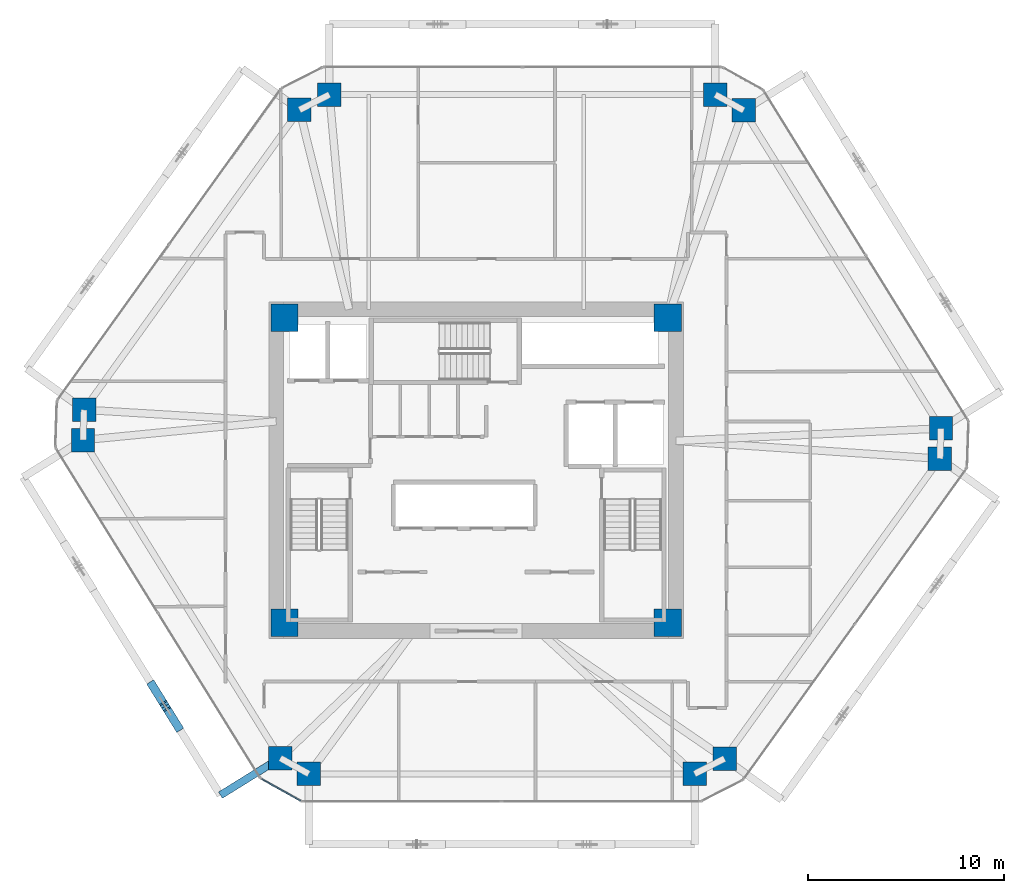
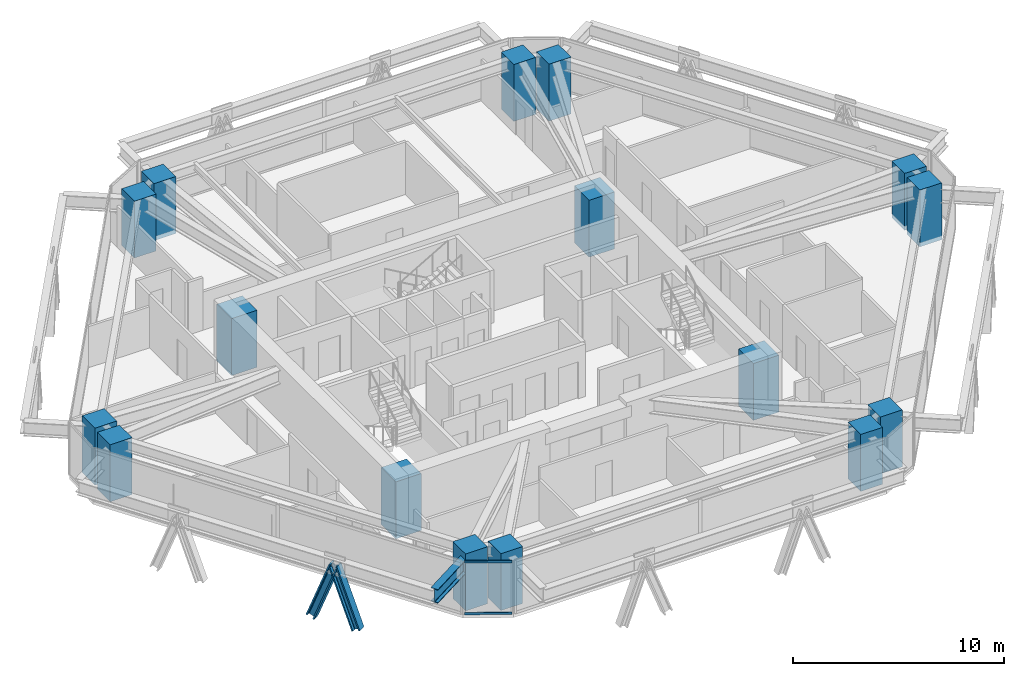
# One storey, part 1 of 16: 16 columns, 4 members, 1 beam, 1 element without a shape of its own.
"""IFC4 building model written with IfcOpenShell, lengths in metres."""

from ifc_helpers import new_model, si_unit, direction, frame, origin, origin_2d, place, context, subcontext, project, spatial, rectangle, i_section, extrude, source, transform, mapped, material, layer, layer_set, material_profile, profile_set, type_object, type_shapes, element, aggregate, save


model = new_model("IFC4")

# Units and contexts
model_context = context("Model", 3, precision=1e-05, world=origin(), true_north=direction((0.0, 1.0)))
body_context = subcontext(model_context, "Body", "Model", "MODEL_VIEW")
ifc_project = project(units=[si_unit("LENGTHUNIT", "METRE"), si_unit("AREAUNIT", "SQUARE_METRE"), si_unit("VOLUMEUNIT", "CUBIC_METRE"), si_unit("PLANEANGLEUNIT", "RADIAN"), si_unit("MASSUNIT", "GRAM", prefix="KILO")], contexts=[model_context])

# Site, building, storey
site_placement = place(None, origin())
site = spatial("IfcSite", under=ifc_project, at=site_placement, CompositionType="ELEMENT")
building_placement = place(site_placement, origin())
building = spatial("IfcBuilding", under=site, at=building_placement, Name="Durnholm Broadcast Tower", CompositionType="ELEMENT")
storey_placement = place(building_placement, frame((0.0, 0.0, 110.699951171875)))
storey = spatial("IfcBuildingStorey", under=building, at=storey_placement, Name="L29", CompositionType="ELEMENT", Elevation=110.699951171875)

# Columns
ifc_material_1 = material(Name="Concrete C70/85", Category="concrete")
ifc_material_profile_1 = material_profile(ifc_material_1, rectangle(XDim=1.39990234375, YDim=1.39990234375, at=origin_2d()), Name="RC1400X1400")
ifc_profile_set_1 = profile_set([ifc_material_profile_1], Name="Concrete C70/85")
column_type_1 = type_object("IfcColumnType", Name="COL-CC-1400", PredefinedType="COLUMN", material=ifc_profile_set_1)
shared_shape_1 = source(origin(), body_context, "Body", "SweptSolid", [
    extrude(rectangle(XDim=1.39990234375, YDim=1.39990234375, at=origin_2d()), origin(), (0.0, 0.0, 1.0), 3.300048828125),
])
type_shapes(column_type_1, [shared_shape_1])
for number, where, z_axis, x_axis, name in (
    (1, (-9.800048828125, -7.800048828125, -0.239990234375), (0.0, 0.0, 1.0), (1.0, 0.0, 0.0), "L29 core corner column 1"),
    (2, (9.800048828125, -7.800048828125, -0.239990234375), (0.0, 0.0, 1.0), (1.0, 0.0, 0.0), "L29 core corner column 2"),
    (3, (9.800048828125, 7.800048828125, -0.239990234375), (0.0, 0.0, 1.0), (1.0, 0.0, 0.0), "L29 core corner column 3"),
    (4, (-9.800048828125, 7.800048828125, -0.239990234375), (0.0, 0.0, 1.0), (1.0, 0.0, 0.0), "L29 core corner column 4"),
):
    element("IfcColumn", number, at=place(storey_placement, frame(where, z_axis=z_axis, x_axis=x_axis)), inside=storey, type_object=column_type_1, Name=name, PredefinedType="COLUMN", context=body_context, shape_type="MappedRepresentation", body=[
        mapped(shared_shape_1, transform((0.0, 0.0, 0.0), x_axis=(1.0, 0.0, 0.0), y_axis=(0.0, 1.0, 0.0), z_axis=(0.0, 0.0, 1.0), scale=1.0)),
    ])
ifc_material_profile_2 = material_profile(ifc_material_1, rectangle(XDim=1.199951171875, YDim=1.199951171875, at=origin_2d()), Name="RC1200X1200")
ifc_profile_set_2 = profile_set([ifc_material_profile_2], Name="Concrete C70/85")
column_type_2 = type_object("IfcColumnType", Name="COL-CC-1200", PredefinedType="COLUMN", material=ifc_profile_set_2)
shared_shape_2 = source(origin(), body_context, "Body", "SweptSolid", [
    extrude(rectangle(XDim=1.199951171875, YDim=1.199951171875, at=origin_2d()), origin(), (0.0, 0.0, 1.0), 3.300048828125),
])
type_shapes(column_type_2, [shared_shape_2])
for number, where, z_axis, x_axis, name in (
    (5, (-10.01416015625, -14.723388671875, -0.239990234375), (0.0, 0.0, 1.0), (1.0, 0.0, 0.0), "L29 perimeter hexagonal tube column 01"),
    (6, (-20.102783203125, 1.54150390625, -0.239990234375), (0.0, 0.0, 1.0), (1.0, 0.0, 0.0), "L29 perimeter hexagonal tube column 02"),
    (7, (-20.050048828125, 3.091064453125, -0.239990234375), (0.0, 0.0, 1.0), (1.0, 0.0, 0.0), "L29 perimeter hexagonal tube column 03"),
    (8, (-9.031982421875, 18.42822265625, -0.239990234375), (0.0, 0.0, 1.0), (1.0, 0.0, 0.0), "L29 perimeter hexagonal tube column 04"),
    (9, (-7.498046875, 19.215087890625, -0.239990234375), (0.0, 0.0, 1.0), (1.0, 0.0, 0.0), "L29 perimeter hexagonal tube column 05"),
    (10, (12.22998046875, 19.215087890625, -0.239990234375), (0.0, 0.0, 1.0), (1.0, 0.0, 0.0), "L29 perimeter hexagonal tube column 06"),
    (11, (13.692138671875, 18.4013671875, -0.239990234375), (0.0, 0.0, 1.0), (1.0, 0.0, 0.0), "L29 perimeter hexagonal tube column 07"),
    (12, (23.78076171875, 2.13671875, -0.239990234375), (0.0, 0.0, 1.0), (1.0, 0.0, 0.0), "L29 perimeter hexagonal tube column 08"),
    (13, (23.72802734375, 0.5869140625, -0.239990234375), (0.0, 0.0, 1.0), (1.0, 0.0, 0.0), "L29 perimeter hexagonal tube column 09"),
    (14, (12.7099609375, -14.750244140625, -0.239990234375), (0.0, 0.0, 1.0), (1.0, 0.0, 0.0), "L29 perimeter hexagonal tube column 10"),
    (15, (11.176025390625, -15.537109375, -0.239990234375), (0.0, 0.0, 1.0), (1.0, 0.0, 0.0), "L29 perimeter hexagonal tube column 11"),
    (16, (-8.552001953125, -15.537109375, -0.239990234375), (0.0, 0.0, 1.0), (1.0, 0.0, 0.0), "L29 perimeter hexagonal tube column 12"),
):
    element("IfcColumn", number, at=place(storey_placement, frame(where, z_axis=z_axis, x_axis=x_axis)), inside=storey, type_object=column_type_2, Name=name, PredefinedType="COLUMN", context=body_context, shape_type="MappedRepresentation", body=[
        mapped(shared_shape_2, transform((0.0, 0.0, 0.0), x_axis=(1.0, 0.0, 0.0), y_axis=(0.0, 1.0, 0.0), z_axis=(0.0, 0.0, 1.0), scale=1.0)),
    ])

# Beam
ifc_material_2 = material(Name="Steel ASTM A992 Grade 50", Category="steel")
ifc_material_profile_3 = material_profile(ifc_material_2, i_section(OverallWidth=0.385009765625, OverallDepth=0.802978515625, WebThickness=0.023681640625, FlangeThickness=0.0419921875, FilletRadius=0.032958984375, at=origin_2d()), Name="W30X261")
ifc_profile_set_3 = profile_set([ifc_material_profile_3], Name="Steel ASTM A992 Grade 50")
beam_type = type_object("IfcBeamType", Name="BM-EXO-TIE", PredefinedType="USERDEFINED", material=ifc_profile_set_3)
shared_shape_3 = source(origin(), body_context, "Body", "SweptSolid", [
    extrude(i_section(OverallWidth=0.385009765625, OverallDepth=0.802978515625, WebThickness=0.023681640625, FlangeThickness=0.0419921875, FilletRadius=0.032958984375, at=origin_2d()), origin(), (0.0, 0.0, 1.0), 3.455810546875),
])
type_shapes(beam_type, [shared_shape_3])
beam_placement = place(storey_placement, frame((-10.13671875, -14.79931640625, 2.30859375), z_axis=(-0.849807128357, -0.527093772107, 0.0), x_axis=(0.527093772107, -0.849807128357, 0.0)))
element("IfcBeam", 17, at=beam_placement, inside=storey, type_object=beam_type, Name="L29 exoskeleton stand-off tie bracket F6.2", ObjectType="GIRDER", PredefinedType="USERDEFINED", context=body_context, shape_type="MappedRepresentation", body=[
    mapped(shared_shape_3, transform((0.0, 0.0, 0.0), x_axis=(1.0, 0.0, 0.0), y_axis=(0.0, 1.0, 0.0), z_axis=(0.0, 0.0, 1.0), scale=1.0)),
])

# Members
ifc_material_3 = material(Name="Steel ASTM A913 Grade 65", Category="steel")
ifc_material_profile_4 = material_profile(ifc_material_3, i_section(OverallWidth=0.424072265625, OverallDepth=0.47412109375, WebThickness=0.047607421875, FlangeThickness=0.0771484375, FilletRadius=0.030517578125, at=origin_2d()), Name="W14X426")
ifc_profile_set_4 = profile_set([ifc_material_profile_4], Name="Steel ASTM A913 Grade 65")
member_type_1 = type_object("IfcMemberType", Name="STL-DG-W14X426", PredefinedType="BRACE", material=ifc_profile_set_4)
shared_shape_4 = source(origin(), body_context, "Body", "SweptSolid", [
    extrude(i_section(OverallWidth=0.424072265625, OverallDepth=0.47412109375, WebThickness=0.047607421875, FlangeThickness=0.0771484375, FilletRadius=0.030517578125, at=origin_2d()), origin(), (0.0, 0.0, 1.0), 3.523193359375),
])
type_shapes(member_type_1, [shared_shape_4])
for number, where, z_axis, x_axis, name in (
    (18, (-16.548583984375, -11.018310546875, -0.991455078125), (0.184606642766, -0.297560406921, 0.936684681032), (0.849750220063, 0.527185511469, 0.0), "L29 stand-off diagrid brace F6.D2.1"),
    (19, (-15.247802734375, -13.115234375, -0.991455078125), (-0.184602835855, 0.297623566065, 0.936665364961), (-0.849805205368, -0.527096872433, 0.0), "L29 stand-off diagrid brace F6.D2.2"),
):
    element("IfcMember", number, at=place(storey_placement, frame(where, z_axis=z_axis, x_axis=x_axis)), inside=storey, type_object=member_type_1, Name=name, PredefinedType="BRACE", context=body_context, shape_type="MappedRepresentation", body=[
        mapped(shared_shape_4, transform((0.0, 0.0, 0.0), x_axis=(1.0, 0.0, 0.0), y_axis=(0.0, 1.0, 0.0), z_axis=(0.0, 0.0, 1.0), scale=1.0)),
    ])

# Curtain wall, members
ifc_material_4 = material(Name="Aluminium and Solar Control IGU", Category="aluminium")
ifc_layer = layer(ifc_material_4, 0.1650390625)
ifc_layer_set = layer_set([ifc_layer], Name="Aluminium and Solar Control IGU")
curtain_wall_type = type_object("IfcCurtainWallType", Name="CW-SYS-5", PredefinedType="NOTDEFINED", material=ifc_layer_set)
curtain_wall_placement = place(storey_placement, origin())
curtain_wall = element("IfcCurtainWall", 20, at=curtain_wall_placement, inside=storey, type_object=curtain_wall_type, Name="L29 curtain wall CW-CORNER CW-L29-CRN-11", PredefinedType="NOTDEFINED")
ifc_material_5 = material(Name="Aluminium 6063-T6", Category="aluminium")
ifc_material_profile_5 = material_profile(ifc_material_5, rectangle(XDim=0.06494140625, YDim=0.1298828125, at=origin_2d()), Name="CWT65X130")
ifc_profile_set_5 = profile_set([ifc_material_profile_5], Name="Aluminium 6063-T6")
member_type_2 = type_object("IfcMemberType", Name="CW-SYS-5-TRN", PredefinedType="USERDEFINED", material=ifc_profile_set_5)
shared_shape_5 = source(origin(), body_context, "Body", "SweptSolid", [
    extrude(rectangle(XDim=0.06494140625, YDim=0.1298828125, at=origin_2d()), origin(), (0.0, 0.0, 1.0), 2.27001953125),
])
type_shapes(member_type_2, [shared_shape_5])
member_1_placement = place(storey_placement, frame((-8.971923828125, -16.9052734375, 0.032470703125), z_axis=(-0.873832405737, 0.486227237703, 0.0), x_axis=(-0.486227237703, -0.873832405737, 0.0)))
member_1 = element("IfcMember", 21, at=member_1_placement, type_object=member_type_2, Name="CW-CORNER transom 1.1", ObjectType="TRANSOM", PredefinedType="USERDEFINED", context=body_context, shape_type="MappedRepresentation", body=[
    mapped(shared_shape_5, transform((0.0, 0.0, 0.0), x_axis=(1.0, 0.0, 0.0), y_axis=(0.0, 1.0, 0.0), z_axis=(0.0, 0.0, 1.0), scale=1.0)),
])
member_2_placement = place(storey_placement, frame((-8.971923828125, -16.9052734375, 3.027587890625), z_axis=(-0.873832405737, 0.486227237703, 0.0), x_axis=(-0.486227237703, -0.873832405737, 0.0)))
member_2 = element("IfcMember", 22, at=member_2_placement, type_object=member_type_2, Name="CW-CORNER transom 1.2", ObjectType="TRANSOM", PredefinedType="USERDEFINED", context=body_context, shape_type="MappedRepresentation", body=[
    mapped(shared_shape_5, transform((0.0, 0.0, 0.0), x_axis=(1.0, 0.0, 0.0), y_axis=(0.0, 1.0, 0.0), z_axis=(0.0, 0.0, 1.0), scale=1.0)),
])
aggregate(curtain_wall, [member_1, member_2])

save(model, "model.ifc")
